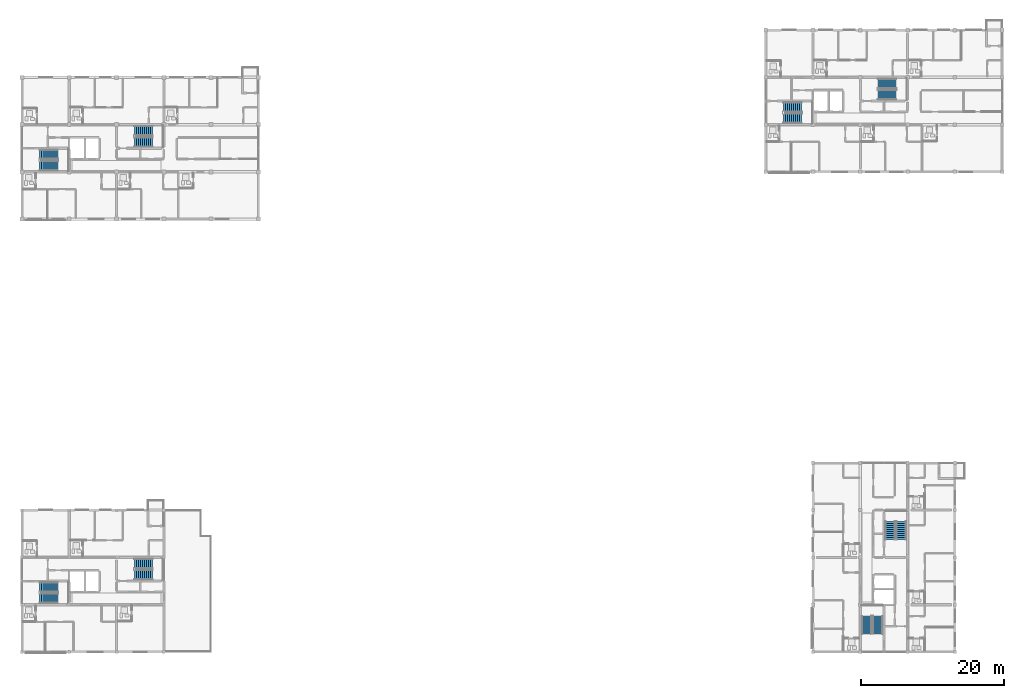
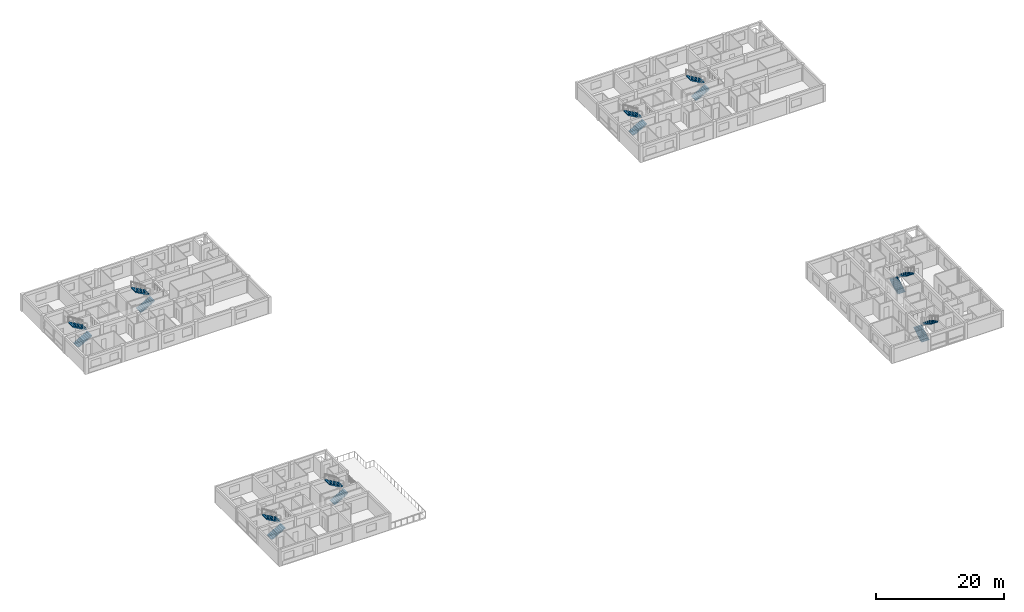
# One storey, part 39 of 46: 16 stair flights, 8 elements without a shape of their own.
"""IFC4 building model written with IfcOpenShell, lengths in metres."""

from ifc_helpers import new_model, si_unit, direction, frame, origin, place, context, subcontext, project, spatial, polyline, outline, extrude, material, type_object, element, aggregate, save


model = new_model("IFC4")

# Units and contexts
model_context = context("Model", 3, precision=1e-05, world=origin(), true_north=direction((0.0, 1.0)))
body_context = subcontext(model_context, "Body", "Model", "MODEL_VIEW")
ifc_project = project(units=[si_unit("LENGTHUNIT", "METRE"), si_unit("AREAUNIT", "SQUARE_METRE"), si_unit("VOLUMEUNIT", "CUBIC_METRE"), si_unit("PLANEANGLEUNIT", "RADIAN"), si_unit("MASSUNIT", "GRAM", prefix="KILO")], contexts=[model_context])

# Site, building, storey
site_placement = place(None, origin())
site = spatial("IfcSite", under=ifc_project, at=site_placement, CompositionType="ELEMENT")
building_placement = place(site_placement, origin())
building = spatial("IfcBuilding", under=site, at=building_placement, Name="Kernevlak Ridge Housing Community", CompositionType="ELEMENT")
storey_placement = place(building_placement, frame((0.0, 0.0, 27.60009765625)))
storey = spatial("IfcBuildingStorey", under=building, at=storey_placement, Name="L08", CompositionType="ELEMENT", Elevation=27.60009765625)

# Stair, stair flights
ifc_material = material(Name="Concrete C35/45", Category="concrete")
stair_type = type_object("IfcStairType", Name="SR-01", PredefinedType="HALF_TURN_STAIR", material=ifc_material)
stair_1_placement = place(storey_placement, origin())
stair_1 = element("IfcStair", 1, at=stair_1_placement, inside=storey, type_object=stair_type, Name="Stair ST-A1 L08", PredefinedType="HALF_TURN_STAIR")
stair_flight_type = type_object("IfcStairFlightType", Name="SF-01", PredefinedType="STRAIGHT", material=ifc_material)
stair_flight_1_placement = place(storey_placement, frame((18.080078125, 83.4599609375, 0.0), z_axis=(0.0, 0.0, 1.0), x_axis=(1.0, 0.0, 0.0)))
stair_flight_1 = element("IfcStairFlight", 2, at=stair_flight_1_placement, type_object=stair_flight_type, Name="SR-01 flight 1", NumberOfRisers=10, NumberOfTreads=9, PredefinedType="STRAIGHT", RiserHeight=0.16, TreadLength=0.28, context=body_context, shape_type="SweptSolid", body=[
    extrude(outline(polyline([(0.0, 0.0), (0.0, 0.159912109375), (0.280029296875, 0.159912109375), (0.280029296875, 0.320068359375), (0.56005859375, 0.320068359375), (0.56005859375, 0.47998046875), (0.840087890625, 0.47998046875), (0.840087890625, 0.639892578125), (1.1201171875, 0.639892578125), (1.1201171875, 0.800048828125), (1.39990234375, 0.800048828125), (1.39990234375, 0.9599609375), (1.679931640625, 0.9599609375), (1.679931640625, 1.1201171875), (1.9599609375, 1.1201171875), (1.9599609375, 1.280029296875), (2.239990234375, 1.280029296875), (2.239990234375, 1.43994140625), (2.52001953125, 1.43994140625), (2.52001953125, 1.60009765625), (2.52001953125, 1.244384765625), (0.342529296875, 0.0), (0.0, 0.0)])), frame((0.0, 0.699951171875, 0.0), z_axis=(0.0, -1.0, 0.0), x_axis=(1.0, 0.0, 0.0)), (0.0, 0.0, 1.0), 1.39990234375),
])
stair_flight_2_placement = place(storey_placement, frame((20.60009765625, 85.0400390625, 1.599853515625), z_axis=(0.0, 0.0, 1.0), x_axis=(-1.0, 0.0, 0.0)))
stair_flight_2 = element("IfcStairFlight", 3, at=stair_flight_2_placement, type_object=stair_flight_type, Name="SR-01 flight 2", NumberOfRisers=10, NumberOfTreads=9, PredefinedType="STRAIGHT", RiserHeight=0.16, TreadLength=0.28, context=body_context, shape_type="SweptSolid", body=[
    extrude(outline(polyline([(0.0, 0.0), (0.0, 0.159912109375), (0.280029296875, 0.159912109375), (0.280029296875, 0.320068359375), (0.56005859375, 0.320068359375), (0.56005859375, 0.47998046875), (0.840087890625, 0.47998046875), (0.840087890625, 0.639892578125), (1.1201171875, 0.639892578125), (1.1201171875, 0.800048828125), (1.39990234375, 0.800048828125), (1.39990234375, 0.9599609375), (1.679931640625, 0.9599609375), (1.679931640625, 1.1201171875), (1.9599609375, 1.1201171875), (1.9599609375, 1.280029296875), (2.239990234375, 1.280029296875), (2.239990234375, 1.43994140625), (2.52001953125, 1.43994140625), (2.52001953125, 1.60009765625), (2.52001953125, 1.244384765625), (0.342529296875, 0.0), (0.0, 0.0)])), frame((0.0, 0.699951171875, 0.0), z_axis=(0.0, -1.0, 0.0), x_axis=(1.0, 0.0, 0.0)), (0.0, 0.0, 1.0), 1.39990234375),
])
aggregate(stair_1, [stair_flight_1, stair_flight_2])

stair_2_placement = place(storey_placement, origin())
stair_2 = element("IfcStair", 4, at=stair_2_placement, inside=storey, type_object=stair_type, Name="Stair ST-A2 L08", PredefinedType="HALF_TURN_STAIR")
stair_flight_3_placement = place(storey_placement, frame((31.280029296875, 86.760009765625, 0.0), z_axis=(0.0, 0.0, 1.0), x_axis=(1.0, 0.0, 0.0)))
stair_flight_3 = element("IfcStairFlight", 5, at=stair_flight_3_placement, type_object=stair_flight_type, Name="SR-01 flight 1", NumberOfRisers=10, NumberOfTreads=9, PredefinedType="STRAIGHT", RiserHeight=0.16, TreadLength=0.28, context=body_context, shape_type="SweptSolid", body=[
    extrude(outline(polyline([(0.0, 0.0), (0.0, 0.159912109375), (0.280029296875, 0.159912109375), (0.280029296875, 0.320068359375), (0.56005859375, 0.320068359375), (0.56005859375, 0.47998046875), (0.840087890625, 0.47998046875), (0.840087890625, 0.639892578125), (1.1201171875, 0.639892578125), (1.1201171875, 0.800048828125), (1.39990234375, 0.800048828125), (1.39990234375, 0.9599609375), (1.679931640625, 0.9599609375), (1.679931640625, 1.1201171875), (1.9599609375, 1.1201171875), (1.9599609375, 1.280029296875), (2.239990234375, 1.280029296875), (2.239990234375, 1.43994140625), (2.52001953125, 1.43994140625), (2.52001953125, 1.60009765625), (2.52001953125, 1.244384765625), (0.342529296875, 0.0), (0.0, 0.0)])), frame((0.0, 0.699951171875, 0.0), z_axis=(0.0, -1.0, 0.0), x_axis=(1.0, 0.0, 0.0)), (0.0, 0.0, 1.0), 1.39990234375),
])
stair_flight_4_placement = place(storey_placement, frame((33.800048828125, 88.340087890625, 1.599853515625), z_axis=(0.0, 0.0, 1.0), x_axis=(-1.0, 0.0, 0.0)))
stair_flight_4 = element("IfcStairFlight", 6, at=stair_flight_4_placement, type_object=stair_flight_type, Name="SR-01 flight 2", NumberOfRisers=10, NumberOfTreads=9, PredefinedType="STRAIGHT", RiserHeight=0.16, TreadLength=0.28, context=body_context, shape_type="SweptSolid", body=[
    extrude(outline(polyline([(0.0, 0.0), (0.0, 0.159912109375), (0.280029296875, 0.159912109375), (0.280029296875, 0.320068359375), (0.56005859375, 0.320068359375), (0.56005859375, 0.47998046875), (0.840087890625, 0.47998046875), (0.840087890625, 0.639892578125), (1.1201171875, 0.639892578125), (1.1201171875, 0.800048828125), (1.39990234375, 0.800048828125), (1.39990234375, 0.9599609375), (1.679931640625, 0.9599609375), (1.679931640625, 1.1201171875), (1.9599609375, 1.1201171875), (1.9599609375, 1.280029296875), (2.239990234375, 1.280029296875), (2.239990234375, 1.43994140625), (2.52001953125, 1.43994140625), (2.52001953125, 1.60009765625), (2.52001953125, 1.244384765625), (0.342529296875, 0.0), (0.0, 0.0)])), frame((0.0, 0.699951171875, 0.0), z_axis=(0.0, -1.0, 0.0), x_axis=(1.0, 0.0, 0.0)), (0.0, 0.0, 1.0), 1.39990234375),
])
aggregate(stair_2, [stair_flight_3, stair_flight_4])

stair_3_placement = place(storey_placement, origin())
stair_3 = element("IfcStair", 7, at=stair_3_placement, inside=storey, type_object=stair_type, Name="Stair ST-B1 L08", PredefinedType="HALF_TURN_STAIR")
stair_flight_5_placement = place(storey_placement, frame((121.8798828125, 90.06005859375, 0.0), z_axis=(0.0, 0.0, 1.0), x_axis=(1.0, 0.0, 0.0)))
stair_flight_5 = element("IfcStairFlight", 8, at=stair_flight_5_placement, type_object=stair_flight_type, Name="SR-01 flight 1", NumberOfRisers=10, NumberOfTreads=9, PredefinedType="STRAIGHT", RiserHeight=0.16, TreadLength=0.28, context=body_context, shape_type="SweptSolid", body=[
    extrude(outline(polyline([(0.0, 0.0), (0.0, 0.159912109375), (0.280029296875, 0.159912109375), (0.280029296875, 0.320068359375), (0.56005859375, 0.320068359375), (0.56005859375, 0.47998046875), (0.840087890625, 0.47998046875), (0.840087890625, 0.639892578125), (1.1201171875, 0.639892578125), (1.1201171875, 0.800048828125), (1.39990234375, 0.800048828125), (1.39990234375, 0.9599609375), (1.679931640625, 0.9599609375), (1.679931640625, 1.1201171875), (1.9599609375, 1.1201171875), (1.9599609375, 1.280029296875), (2.239990234375, 1.280029296875), (2.239990234375, 1.43994140625), (2.52001953125, 1.43994140625), (2.52001953125, 1.60009765625), (2.52001953125, 1.244384765625), (0.342529296875, 0.0), (0.0, 0.0)])), frame((0.0, 0.699951171875, 0.0), z_axis=(0.0, -1.0, 0.0), x_axis=(1.0, 0.0, 0.0)), (0.0, 0.0, 1.0), 1.39990234375),
])
stair_flight_6_placement = place(storey_placement, frame((124.39990234375, 91.639892578125, 1.599853515625), z_axis=(0.0, 0.0, 1.0), x_axis=(-1.0, 0.0, 0.0)))
stair_flight_6 = element("IfcStairFlight", 9, at=stair_flight_6_placement, type_object=stair_flight_type, Name="SR-01 flight 2", NumberOfRisers=10, NumberOfTreads=9, PredefinedType="STRAIGHT", RiserHeight=0.16, TreadLength=0.28, context=body_context, shape_type="SweptSolid", body=[
    extrude(outline(polyline([(0.0, 0.0), (0.0, 0.159912109375), (0.280029296875, 0.159912109375), (0.280029296875, 0.320068359375), (0.56005859375, 0.320068359375), (0.56005859375, 0.47998046875), (0.840087890625, 0.47998046875), (0.840087890625, 0.639892578125), (1.1201171875, 0.639892578125), (1.1201171875, 0.800048828125), (1.39990234375, 0.800048828125), (1.39990234375, 0.9599609375), (1.679931640625, 0.9599609375), (1.679931640625, 1.1201171875), (1.9599609375, 1.1201171875), (1.9599609375, 1.280029296875), (2.239990234375, 1.280029296875), (2.239990234375, 1.43994140625), (2.52001953125, 1.43994140625), (2.52001953125, 1.60009765625), (2.52001953125, 1.244384765625), (0.342529296875, 0.0), (0.0, 0.0)])), frame((0.0, 0.699951171875, 0.0), z_axis=(0.0, -1.0, 0.0), x_axis=(1.0, 0.0, 0.0)), (0.0, 0.0, 1.0), 1.39990234375),
])
aggregate(stair_3, [stair_flight_5, stair_flight_6])

stair_4_placement = place(storey_placement, origin())
stair_4 = element("IfcStair", 10, at=stair_4_placement, inside=storey, type_object=stair_type, Name="Stair ST-B2 L08", PredefinedType="HALF_TURN_STAIR")
stair_flight_7_placement = place(storey_placement, frame((135.080078125, 93.360107421875, 0.0), z_axis=(0.0, 0.0, 1.0), x_axis=(1.0, 0.0, 0.0)))
stair_flight_7 = element("IfcStairFlight", 11, at=stair_flight_7_placement, type_object=stair_flight_type, Name="SR-01 flight 1", NumberOfRisers=10, NumberOfTreads=9, PredefinedType="STRAIGHT", RiserHeight=0.16, TreadLength=0.28, context=body_context, shape_type="SweptSolid", body=[
    extrude(outline(polyline([(0.0, 0.0), (0.0, 0.159912109375), (0.280029296875, 0.159912109375), (0.280029296875, 0.320068359375), (0.56005859375, 0.320068359375), (0.56005859375, 0.47998046875), (0.840087890625, 0.47998046875), (0.840087890625, 0.639892578125), (1.1201171875, 0.639892578125), (1.1201171875, 0.800048828125), (1.39990234375, 0.800048828125), (1.39990234375, 0.9599609375), (1.679931640625, 0.9599609375), (1.679931640625, 1.1201171875), (1.9599609375, 1.1201171875), (1.9599609375, 1.280029296875), (2.239990234375, 1.280029296875), (2.239990234375, 1.43994140625), (2.52001953125, 1.43994140625), (2.52001953125, 1.60009765625), (2.52001953125, 1.244384765625), (0.342529296875, 0.0), (0.0, 0.0)])), frame((0.0, 0.699951171875, 0.0), z_axis=(0.0, -1.0, 0.0), x_axis=(1.0, 0.0, 0.0)), (0.0, 0.0, 1.0), 1.39990234375),
])
stair_flight_8_placement = place(storey_placement, frame((137.60009765625, 94.93994140625, 1.599853515625), z_axis=(0.0, 0.0, 1.0), x_axis=(-1.0, 0.0, 0.0)))
stair_flight_8 = element("IfcStairFlight", 12, at=stair_flight_8_placement, type_object=stair_flight_type, Name="SR-01 flight 2", NumberOfRisers=10, NumberOfTreads=9, PredefinedType="STRAIGHT", RiserHeight=0.16, TreadLength=0.28, context=body_context, shape_type="SweptSolid", body=[
    extrude(outline(polyline([(0.0, 0.0), (0.0, 0.159912109375), (0.280029296875, 0.159912109375), (0.280029296875, 0.320068359375), (0.56005859375, 0.320068359375), (0.56005859375, 0.47998046875), (0.840087890625, 0.47998046875), (0.840087890625, 0.639892578125), (1.1201171875, 0.639892578125), (1.1201171875, 0.800048828125), (1.39990234375, 0.800048828125), (1.39990234375, 0.9599609375), (1.679931640625, 0.9599609375), (1.679931640625, 1.1201171875), (1.9599609375, 1.1201171875), (1.9599609375, 1.280029296875), (2.239990234375, 1.280029296875), (2.239990234375, 1.43994140625), (2.52001953125, 1.43994140625), (2.52001953125, 1.60009765625), (2.52001953125, 1.244384765625), (0.342529296875, 0.0), (0.0, 0.0)])), frame((0.0, 0.699951171875, 0.0), z_axis=(0.0, -1.0, 0.0), x_axis=(1.0, 0.0, 0.0)), (0.0, 0.0, 1.0), 1.39990234375),
])
aggregate(stair_4, [stair_flight_7, stair_flight_8])

stair_5_placement = place(storey_placement, origin())
stair_5 = element("IfcStair", 13, at=stair_5_placement, inside=storey, type_object=stair_type, Name="Stair ST-C1 L08", PredefinedType="HALF_TURN_STAIR")
stair_flight_9_placement = place(storey_placement, frame((133.4599609375, 18.080078125, 0.0), z_axis=(0.0, 0.0, 1.0), x_axis=(0.0, 1.0, 0.0)))
stair_flight_9 = element("IfcStairFlight", 14, at=stair_flight_9_placement, type_object=stair_flight_type, Name="SR-01 flight 1", NumberOfRisers=10, NumberOfTreads=9, PredefinedType="STRAIGHT", RiserHeight=0.16, TreadLength=0.28, context=body_context, shape_type="SweptSolid", body=[
    extrude(outline(polyline([(0.0, 0.0), (0.0, 0.159912109375), (0.280029296875, 0.159912109375), (0.280029296875, 0.320068359375), (0.56005859375, 0.320068359375), (0.56005859375, 0.47998046875), (0.840087890625, 0.47998046875), (0.840087890625, 0.639892578125), (1.1201171875, 0.639892578125), (1.1201171875, 0.800048828125), (1.39990234375, 0.800048828125), (1.39990234375, 0.9599609375), (1.679931640625, 0.9599609375), (1.679931640625, 1.1201171875), (1.9599609375, 1.1201171875), (1.9599609375, 1.280029296875), (2.239990234375, 1.280029296875), (2.239990234375, 1.43994140625), (2.52001953125, 1.43994140625), (2.52001953125, 1.60009765625), (2.52001953125, 1.244384765625), (0.342529296875, 0.0), (0.0, 0.0)])), frame((0.0, 0.699951171875, 0.0), z_axis=(0.0, -1.0, 0.0), x_axis=(1.0, 0.0, 0.0)), (0.0, 0.0, 1.0), 1.39990234375),
])
stair_flight_10_placement = place(storey_placement, frame((135.0400390625, 20.60009765625, 1.599853515625), z_axis=(0.0, 0.0, 1.0), x_axis=(0.0, -1.0, 0.0)))
stair_flight_10 = element("IfcStairFlight", 15, at=stair_flight_10_placement, type_object=stair_flight_type, Name="SR-01 flight 2", NumberOfRisers=10, NumberOfTreads=9, PredefinedType="STRAIGHT", RiserHeight=0.16, TreadLength=0.28, context=body_context, shape_type="SweptSolid", body=[
    extrude(outline(polyline([(0.0, 0.0), (0.0, 0.159912109375), (0.280029296875, 0.159912109375), (0.280029296875, 0.320068359375), (0.56005859375, 0.320068359375), (0.56005859375, 0.47998046875), (0.840087890625, 0.47998046875), (0.840087890625, 0.639892578125), (1.1201171875, 0.639892578125), (1.1201171875, 0.800048828125), (1.39990234375, 0.800048828125), (1.39990234375, 0.9599609375), (1.679931640625, 0.9599609375), (1.679931640625, 1.1201171875), (1.9599609375, 1.1201171875), (1.9599609375, 1.280029296875), (2.239990234375, 1.280029296875), (2.239990234375, 1.43994140625), (2.52001953125, 1.43994140625), (2.52001953125, 1.60009765625), (2.52001953125, 1.244384765625), (0.342529296875, 0.0), (0.0, 0.0)])), frame((0.0, 0.699951171875, 0.0), z_axis=(0.0, -1.0, 0.0), x_axis=(1.0, 0.0, 0.0)), (0.0, 0.0, 1.0), 1.39990234375),
])
aggregate(stair_5, [stair_flight_9, stair_flight_10])

stair_6_placement = place(storey_placement, origin())
stair_6 = element("IfcStair", 16, at=stair_6_placement, inside=storey, type_object=stair_type, Name="Stair ST-C2 L08", PredefinedType="HALF_TURN_STAIR")
stair_flight_11_placement = place(storey_placement, frame((136.760009765625, 31.280029296875, 0.0), z_axis=(0.0, 0.0, 1.0), x_axis=(0.0, 1.0, 0.0)))
stair_flight_11 = element("IfcStairFlight", 17, at=stair_flight_11_placement, type_object=stair_flight_type, Name="SR-01 flight 1", NumberOfRisers=10, NumberOfTreads=9, PredefinedType="STRAIGHT", RiserHeight=0.16, TreadLength=0.28, context=body_context, shape_type="SweptSolid", body=[
    extrude(outline(polyline([(0.0, 0.0), (0.0, 0.159912109375), (0.280029296875, 0.159912109375), (0.280029296875, 0.320068359375), (0.56005859375, 0.320068359375), (0.56005859375, 0.47998046875), (0.840087890625, 0.47998046875), (0.840087890625, 0.639892578125), (1.1201171875, 0.639892578125), (1.1201171875, 0.800048828125), (1.39990234375, 0.800048828125), (1.39990234375, 0.9599609375), (1.679931640625, 0.9599609375), (1.679931640625, 1.1201171875), (1.9599609375, 1.1201171875), (1.9599609375, 1.280029296875), (2.239990234375, 1.280029296875), (2.239990234375, 1.43994140625), (2.52001953125, 1.43994140625), (2.52001953125, 1.60009765625), (2.52001953125, 1.244384765625), (0.342529296875, 0.0), (0.0, 0.0)])), frame((0.0, 0.699951171875, 0.0), z_axis=(0.0, -1.0, 0.0), x_axis=(1.0, 0.0, 0.0)), (0.0, 0.0, 1.0), 1.39990234375),
])
stair_flight_12_placement = place(storey_placement, frame((138.340087890625, 33.800048828125, 1.599853515625), z_axis=(0.0, 0.0, 1.0), x_axis=(0.0, -1.0, 0.0)))
stair_flight_12 = element("IfcStairFlight", 18, at=stair_flight_12_placement, type_object=stair_flight_type, Name="SR-01 flight 2", NumberOfRisers=10, NumberOfTreads=9, PredefinedType="STRAIGHT", RiserHeight=0.16, TreadLength=0.28, context=body_context, shape_type="SweptSolid", body=[
    extrude(outline(polyline([(0.0, 0.0), (0.0, 0.159912109375), (0.280029296875, 0.159912109375), (0.280029296875, 0.320068359375), (0.56005859375, 0.320068359375), (0.56005859375, 0.47998046875), (0.840087890625, 0.47998046875), (0.840087890625, 0.639892578125), (1.1201171875, 0.639892578125), (1.1201171875, 0.800048828125), (1.39990234375, 0.800048828125), (1.39990234375, 0.9599609375), (1.679931640625, 0.9599609375), (1.679931640625, 1.1201171875), (1.9599609375, 1.1201171875), (1.9599609375, 1.280029296875), (2.239990234375, 1.280029296875), (2.239990234375, 1.43994140625), (2.52001953125, 1.43994140625), (2.52001953125, 1.60009765625), (2.52001953125, 1.244384765625), (0.342529296875, 0.0), (0.0, 0.0)])), frame((0.0, 0.699951171875, 0.0), z_axis=(0.0, -1.0, 0.0), x_axis=(1.0, 0.0, 0.0)), (0.0, 0.0, 1.0), 1.39990234375),
])
aggregate(stair_6, [stair_flight_11, stair_flight_12])

stair_7_placement = place(storey_placement, origin())
stair_7 = element("IfcStair", 19, at=stair_7_placement, inside=storey, type_object=stair_type, Name="Stair ST-D1 L08", PredefinedType="HALF_TURN_STAIR")
stair_flight_13_placement = place(storey_placement, frame((18.080078125, 23.06005859375, 0.0), z_axis=(0.0, 0.0, 1.0), x_axis=(1.0, 0.0, 0.0)))
stair_flight_13 = element("IfcStairFlight", 20, at=stair_flight_13_placement, type_object=stair_flight_type, Name="SR-01 flight 1", NumberOfRisers=10, NumberOfTreads=9, PredefinedType="STRAIGHT", RiserHeight=0.16, TreadLength=0.28, context=body_context, shape_type="SweptSolid", body=[
    extrude(outline(polyline([(0.0, 0.0), (0.0, 0.159912109375), (0.280029296875, 0.159912109375), (0.280029296875, 0.320068359375), (0.56005859375, 0.320068359375), (0.56005859375, 0.47998046875), (0.840087890625, 0.47998046875), (0.840087890625, 0.639892578125), (1.1201171875, 0.639892578125), (1.1201171875, 0.800048828125), (1.39990234375, 0.800048828125), (1.39990234375, 0.9599609375), (1.679931640625, 0.9599609375), (1.679931640625, 1.1201171875), (1.9599609375, 1.1201171875), (1.9599609375, 1.280029296875), (2.239990234375, 1.280029296875), (2.239990234375, 1.43994140625), (2.52001953125, 1.43994140625), (2.52001953125, 1.60009765625), (2.52001953125, 1.244384765625), (0.342529296875, 0.0), (0.0, 0.0)])), frame((0.0, 0.699951171875, 0.0), z_axis=(0.0, -1.0, 0.0), x_axis=(1.0, 0.0, 0.0)), (0.0, 0.0, 1.0), 1.39990234375),
])
stair_flight_14_placement = place(storey_placement, frame((20.60009765625, 24.639892578125, 1.599853515625), z_axis=(0.0, 0.0, 1.0), x_axis=(-1.0, 0.0, 0.0)))
stair_flight_14 = element("IfcStairFlight", 21, at=stair_flight_14_placement, type_object=stair_flight_type, Name="SR-01 flight 2", NumberOfRisers=10, NumberOfTreads=9, PredefinedType="STRAIGHT", RiserHeight=0.16, TreadLength=0.28, context=body_context, shape_type="SweptSolid", body=[
    extrude(outline(polyline([(0.0, 0.0), (0.0, 0.159912109375), (0.280029296875, 0.159912109375), (0.280029296875, 0.320068359375), (0.56005859375, 0.320068359375), (0.56005859375, 0.47998046875), (0.840087890625, 0.47998046875), (0.840087890625, 0.639892578125), (1.1201171875, 0.639892578125), (1.1201171875, 0.800048828125), (1.39990234375, 0.800048828125), (1.39990234375, 0.9599609375), (1.679931640625, 0.9599609375), (1.679931640625, 1.1201171875), (1.9599609375, 1.1201171875), (1.9599609375, 1.280029296875), (2.239990234375, 1.280029296875), (2.239990234375, 1.43994140625), (2.52001953125, 1.43994140625), (2.52001953125, 1.60009765625), (2.52001953125, 1.244384765625), (0.342529296875, 0.0), (0.0, 0.0)])), frame((0.0, 0.699951171875, 0.0), z_axis=(0.0, -1.0, 0.0), x_axis=(1.0, 0.0, 0.0)), (0.0, 0.0, 1.0), 1.39990234375),
])
aggregate(stair_7, [stair_flight_13, stair_flight_14])

stair_8_placement = place(storey_placement, origin())
stair_8 = element("IfcStair", 22, at=stair_8_placement, inside=storey, type_object=stair_type, Name="Stair ST-D2 L08", PredefinedType="HALF_TURN_STAIR")
stair_flight_15_placement = place(storey_placement, frame((31.280029296875, 26.360107421875, 0.0), z_axis=(0.0, 0.0, 1.0), x_axis=(1.0, 0.0, 0.0)))
stair_flight_15 = element("IfcStairFlight", 23, at=stair_flight_15_placement, type_object=stair_flight_type, Name="SR-01 flight 1", NumberOfRisers=10, NumberOfTreads=9, PredefinedType="STRAIGHT", RiserHeight=0.16, TreadLength=0.28, context=body_context, shape_type="SweptSolid", body=[
    extrude(outline(polyline([(0.0, 0.0), (0.0, 0.159912109375), (0.280029296875, 0.159912109375), (0.280029296875, 0.320068359375), (0.56005859375, 0.320068359375), (0.56005859375, 0.47998046875), (0.840087890625, 0.47998046875), (0.840087890625, 0.639892578125), (1.1201171875, 0.639892578125), (1.1201171875, 0.800048828125), (1.39990234375, 0.800048828125), (1.39990234375, 0.9599609375), (1.679931640625, 0.9599609375), (1.679931640625, 1.1201171875), (1.9599609375, 1.1201171875), (1.9599609375, 1.280029296875), (2.239990234375, 1.280029296875), (2.239990234375, 1.43994140625), (2.52001953125, 1.43994140625), (2.52001953125, 1.60009765625), (2.52001953125, 1.244384765625), (0.342529296875, 0.0), (0.0, 0.0)])), frame((0.0, 0.699951171875, 0.0), z_axis=(0.0, -1.0, 0.0), x_axis=(1.0, 0.0, 0.0)), (0.0, 0.0, 1.0), 1.39990234375),
])
stair_flight_16_placement = place(storey_placement, frame((33.800048828125, 27.93994140625, 1.599853515625), z_axis=(0.0, 0.0, 1.0), x_axis=(-1.0, 0.0, 0.0)))
stair_flight_16 = element("IfcStairFlight", 24, at=stair_flight_16_placement, type_object=stair_flight_type, Name="SR-01 flight 2", NumberOfRisers=10, NumberOfTreads=9, PredefinedType="STRAIGHT", RiserHeight=0.16, TreadLength=0.28, context=body_context, shape_type="SweptSolid", body=[
    extrude(outline(polyline([(0.0, 0.0), (0.0, 0.159912109375), (0.280029296875, 0.159912109375), (0.280029296875, 0.320068359375), (0.56005859375, 0.320068359375), (0.56005859375, 0.47998046875), (0.840087890625, 0.47998046875), (0.840087890625, 0.639892578125), (1.1201171875, 0.639892578125), (1.1201171875, 0.800048828125), (1.39990234375, 0.800048828125), (1.39990234375, 0.9599609375), (1.679931640625, 0.9599609375), (1.679931640625, 1.1201171875), (1.9599609375, 1.1201171875), (1.9599609375, 1.280029296875), (2.239990234375, 1.280029296875), (2.239990234375, 1.43994140625), (2.52001953125, 1.43994140625), (2.52001953125, 1.60009765625), (2.52001953125, 1.244384765625), (0.342529296875, 0.0), (0.0, 0.0)])), frame((0.0, 0.699951171875, 0.0), z_axis=(0.0, -1.0, 0.0), x_axis=(1.0, 0.0, 0.0)), (0.0, 0.0, 1.0), 1.39990234375),
])
aggregate(stair_8, [stair_flight_15, stair_flight_16])

save(model, "model.ifc")
